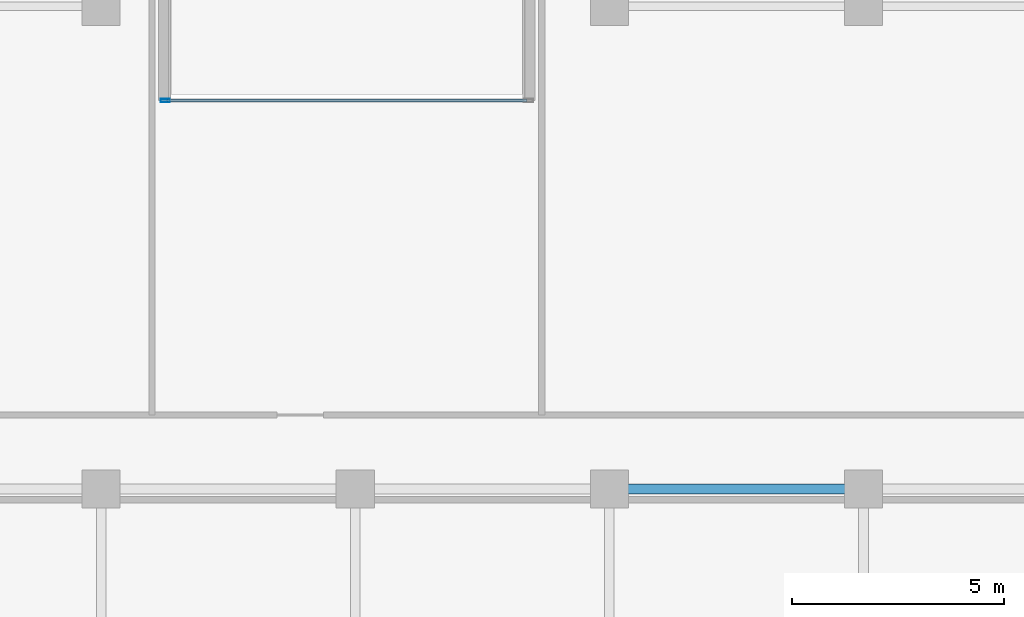
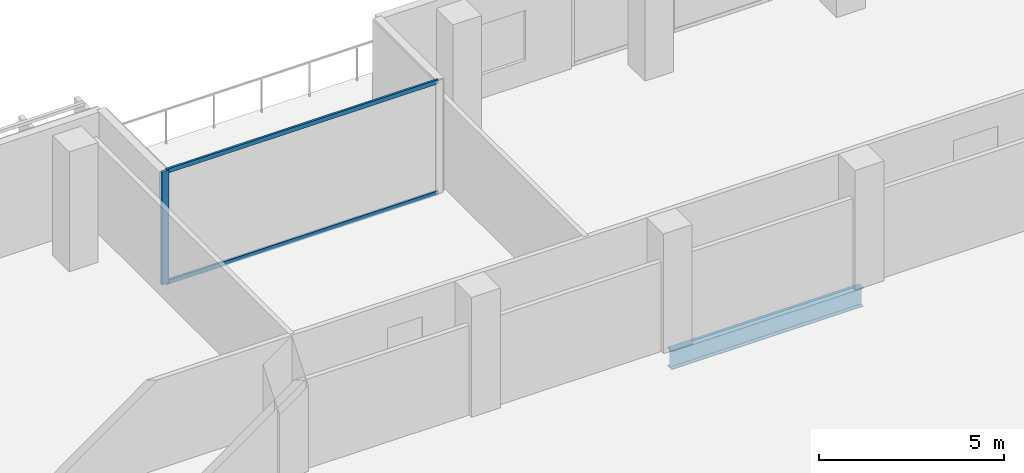
# One storey, part 11 of 30: 3 members, 1 beam, 1 element without a shape of its own.
"""IFC4 building model written with IfcOpenShell, lengths in metres."""

from ifc_helpers import new_model, si_unit, direction, frame, origin, origin_2d, place, context, subcontext, project, spatial, hollow_rectangle, i_section, extrude, material, layer, layer_set, material_profile, profile_set, type_object, element, aggregate, save


model = new_model("IFC4")

# Units and contexts
model_context = context("Model", 3, precision=1e-05, world=origin(), true_north=direction((0.0, 1.0)))
body_context = subcontext(model_context, "Body", "Model", "MODEL_VIEW")
ifc_project = project(units=[si_unit("LENGTHUNIT", "METRE"), si_unit("AREAUNIT", "SQUARE_METRE"), si_unit("VOLUMEUNIT", "CUBIC_METRE"), si_unit("PLANEANGLEUNIT", "RADIAN"), si_unit("MASSUNIT", "GRAM", prefix="KILO")], contexts=[model_context])

# Site, building, storey
site_placement = place(None, origin())
site = spatial("IfcSite", under=ifc_project, at=site_placement, CompositionType="ELEMENT")
building_placement = place(site_placement, origin())
building = spatial("IfcBuilding", under=site, at=building_placement, Name="Tanjung Sevakor Pilgrim Tower", CompositionType="ELEMENT")
storey_placement = place(building_placement, frame((0.0, 0.0, 128.0400390625)))
storey = spatial("IfcBuildingStorey", under=building, at=storey_placement, Name="L35", CompositionType="ELEMENT", Elevation=128.0400390625)

# Beam
ifc_material_1 = material(Name="Steel S355J2", Category="steel")
ifc_material_profile_1 = material_profile(ifc_material_1, i_section(OverallWidth=0.230224609375, OverallDepth=0.6171875, WebThickness=0.01318359375, FlangeThickness=0.022216796875, FilletRadius=0.0126953125, at=origin_2d()))
ifc_profile_set_1 = profile_set([ifc_material_profile_1], Name="Steel S355J2")
beam_type = type_object("IfcBeamType", Name="BM-B-G3-UB_610x229x140", PredefinedType="BEAM", material=ifc_profile_set_1)
beam_placement = place(storey_placement, frame((54.0, 42.60009765625, -0.588623046875), z_axis=(1.0, 0.0, 0.0), x_axis=(0.0, 1.0, 0.0)))
element("IfcBeam", 1, at=beam_placement, inside=storey, type_object=beam_type, Name="L35 Primary Floor Girder MAIN Y426-04", PredefinedType="BEAM", context=body_context, shape_type="SweptSolid", body=[
    extrude(i_section(OverallWidth=0.230224609375, OverallDepth=0.6171875, WebThickness=0.01318359375, FlangeThickness=0.022216796875, FilletRadius=0.0126953125, at=origin_2d()), origin(), (0.0, 0.0, 1.0), 6.0),
])

# Curtain wall, members
ifc_material_2 = material(Name="Aluminium 6063-T6 and Low-E Glass", Category="aluminium")
ifc_layer = layer(ifc_material_2, 0.179931640625)
ifc_layer_set = layer_set([ifc_layer], Name="CW-SYS-CLEFT")
curtain_wall_type = type_object("IfcCurtainWallType", Name="CW-SYS-CLEFT", PredefinedType="NOTDEFINED", material=ifc_layer_set)
curtain_wall_placement = place(storey_placement, origin())
curtain_wall = element("IfcCurtainWall", 2, at=curtain_wall_placement, inside=storey, type_object=curtain_wall_type, Name="L35 Curtain Wall CW-CLF-L35-10", PredefinedType="NOTDEFINED")
ifc_material_3 = material(Name="Aluminium 6063-T6", Category="aluminium")
ifc_material_profile_2 = material_profile(ifc_material_3, hollow_rectangle(XDim=0.074951171875, YDim=0.219970703125, WallThickness=0.0048828125, at=origin_2d()))
ifc_profile_set_2 = profile_set([ifc_material_profile_2], Name="Aluminium 6063-T6")
member_type_1 = type_object("IfcMemberType", Name="TYPE-CWM-2", PredefinedType="MULLION", material=ifc_profile_set_2)
member_1_placement = place(storey_placement, frame((43.512451171875, 51.77490234375, 0.0), z_axis=(0.0, 0.0, 1.0), x_axis=(0.0, -1.0, 0.0)))
member_1 = element("IfcMember", 3, at=member_1_placement, type_object=member_type_1, Name="CW-CLF mullion 2", PredefinedType="MULLION", context=body_context, shape_type="SweptSolid", body=[
    extrude(hollow_rectangle(XDim=0.074951171875, YDim=0.219970703125, WallThickness=0.0048828125, at=origin_2d()), origin(), (0.0, 0.0, 1.0), 3.739990234375),
])
ifc_material_4 = material(Name="Aluminium 6063-T6", Category="aluminium")
ifc_material_profile_3 = material_profile(ifc_material_4, hollow_rectangle(XDim=0.06494140625, YDim=0.139892578125, WallThickness=0.00390625, at=origin_2d()))
ifc_profile_set_3 = profile_set([ifc_material_profile_3], Name="Aluminium 6063-T6")
member_type_2 = type_object("IfcMemberType", Name="TYPE-CWT-1", PredefinedType="USERDEFINED", material=ifc_profile_set_3)
member_2_placement = place(storey_placement, frame((52.050048828125, 51.77490234375, 0.032470703125), z_axis=(-1.0, 0.0, 0.0), x_axis=(0.0, -1.0, 0.0)))
member_2 = element("IfcMember", 4, at=member_2_placement, type_object=member_type_2, Name="CW-CLF transom 1.1", ObjectType="TRANSOM", PredefinedType="USERDEFINED", context=body_context, shape_type="SweptSolid", body=[
    extrude(hollow_rectangle(XDim=0.06494140625, YDim=0.139892578125, WallThickness=0.00390625, at=origin_2d()), origin(), (0.0, 0.0, 1.0), 8.5),
])
member_3_placement = place(storey_placement, frame((52.050048828125, 51.77490234375, 3.70751953125), z_axis=(-1.0, 0.0, 0.0), x_axis=(0.0, -1.0, 0.0)))
member_3 = element("IfcMember", 5, at=member_3_placement, type_object=member_type_2, Name="CW-CLF transom 1.2", ObjectType="TRANSOM", PredefinedType="USERDEFINED", context=body_context, shape_type="SweptSolid", body=[
    extrude(hollow_rectangle(XDim=0.06494140625, YDim=0.139892578125, WallThickness=0.00390625, at=origin_2d()), origin(), (0.0, 0.0, 1.0), 8.5),
])
aggregate(curtain_wall, [member_1, member_2, member_3])

save(model, "model.ifc")
